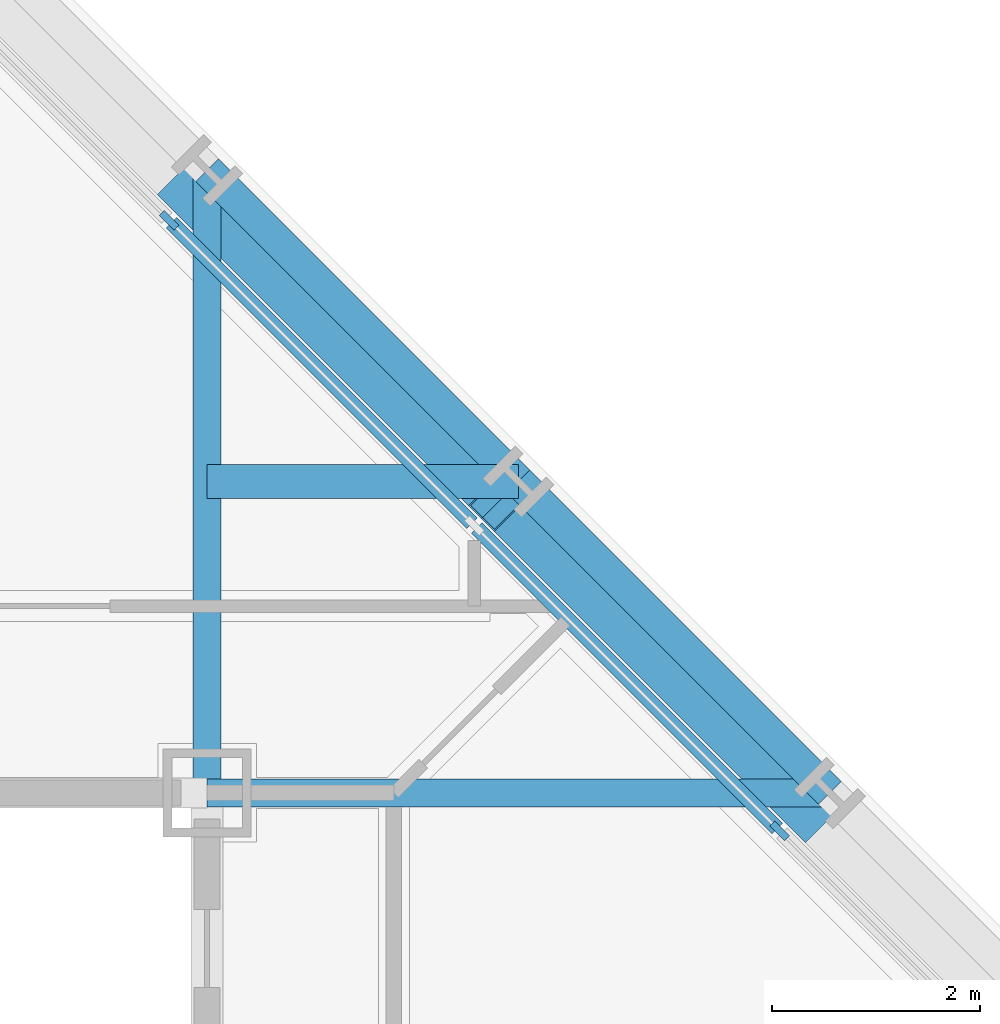
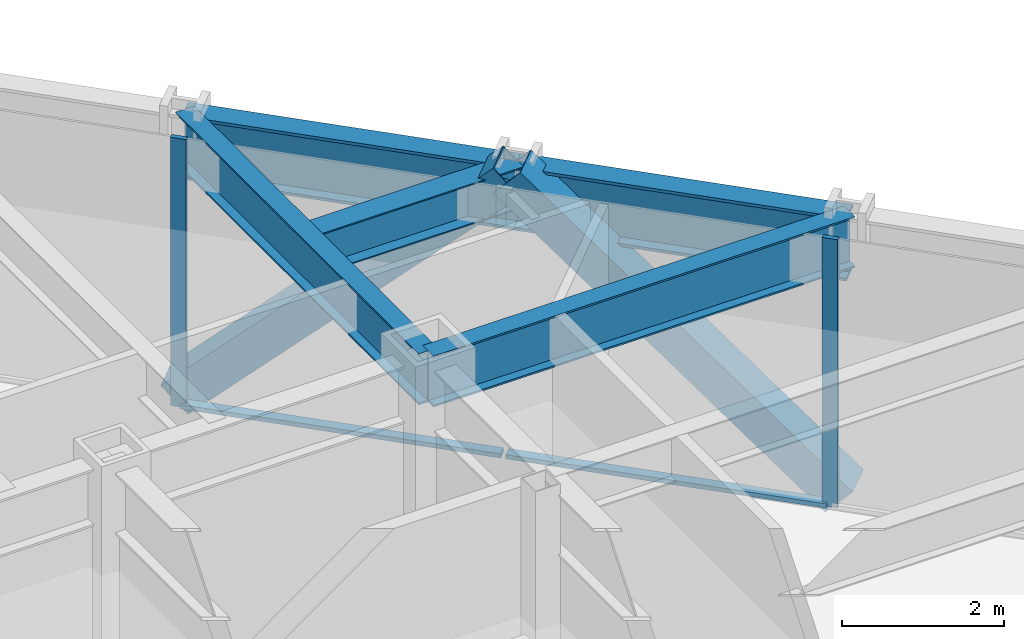
# One storey, part 8 of 17: 6 members, 5 beams, 1 element without a shape of its own.
"""IFC4 building model written with IfcOpenShell, lengths in metres."""

from ifc_helpers import new_model, si_unit, direction, frame, origin, origin_2d, place, context, subcontext, project, spatial, rectangle, hollow_rectangle, i_section, extrude, material, layer, layer_set, material_profile, profile_set, type_object, element, aggregate, save


model = new_model("IFC4")

# Units and contexts
model_context = context("Model", 3, precision=1e-05, world=origin(), true_north=direction((0.0, 1.0)))
body_context = subcontext(model_context, "Body", "Model", "MODEL_VIEW")
ifc_project = project(units=[si_unit("LENGTHUNIT", "METRE"), si_unit("AREAUNIT", "SQUARE_METRE"), si_unit("VOLUMEUNIT", "CUBIC_METRE"), si_unit("PLANEANGLEUNIT", "RADIAN"), si_unit("MASSUNIT", "GRAM", prefix="KILO")], contexts=[model_context])

# Site, building, storey
site_placement = place(None, origin())
site = spatial("IfcSite", under=ifc_project, at=site_placement, CompositionType="ELEMENT")
building_placement = place(site_placement, origin())
building = spatial("IfcBuilding", under=site, at=building_placement, Name="Chuquiago Exchange Tower", CompositionType="ELEMENT")
storey_placement = place(building_placement, frame((0.0, 0.0, 136.199951171875)))
storey = spatial("IfcBuildingStorey", under=building, at=storey_placement, Name="L29", CompositionType="ELEMENT", Elevation=136.199951171875)

# Beam
ifc_material_1 = material(Name="Steel ASTM A992", Category="steel")
ifc_material_profile_1 = material_profile(ifc_material_1, i_section(OverallWidth=0.3251953125, OverallDepth=0.612060546875, WebThickness=0.0126953125, FlangeThickness=0.01904296875, at=origin_2d()), Name="W24X104")
ifc_profile_set_1 = profile_set([ifc_material_profile_1], Name="Steel ASTM A992")
beam_type_1 = type_object("IfcBeamType", Name="B2 W24X104", PredefinedType="BEAM", material=ifc_profile_set_1)
beam_placement = place(storey_placement, frame((33.0, 36.0, 3.73388671875), z_axis=(1.0, 0.0, 0.0), x_axis=(0.0, 1.0, 0.0)))
element("IfcBeam", 1, at=beam_placement, inside=storey, type_object=beam_type_1, Name="FB-L30-corner-33_36-36_36-0", PredefinedType="BEAM", context=body_context, shape_type="SweptSolid", body=[
    extrude(i_section(OverallWidth=0.3251953125, OverallDepth=0.612060546875, WebThickness=0.0126953125, FlangeThickness=0.01904296875, at=origin_2d()), origin(), (0.0, 0.0, 1.0), 3.0),
])

# Curtain wall, members
ifc_material_2 = material(Name="Aluminium curtain wall system", Category="aluminium")
ifc_layer = layer(ifc_material_2, 0.199951171875)
ifc_layer_set = layer_set([ifc_layer], Name="CW3 facet curtain wall")
curtain_wall_type = type_object("IfcCurtainWallType", Name="CW3 facet curtain wall", PredefinedType="NOTDEFINED", material=ifc_layer_set)
curtain_wall_placement = place(storey_placement, origin())
curtain_wall = element("IfcCurtainWall", 2, at=curtain_wall_placement, inside=storey, type_object=curtain_wall_type, Name="CW3 curtain wall L29", PredefinedType="NOTDEFINED")
ifc_material_3 = material(Name="Aluminium mullion, pale anodised", Category="aluminium")
ifc_material_profile_2 = material_profile(ifc_material_3, rectangle(XDim=0.06494140625, YDim=0.199951171875, at=origin_2d()), Name="AL 65x200")
ifc_profile_set_2 = profile_set([ifc_material_profile_2], Name="Aluminium mullion, pale anodised")
member_type_1 = type_object("IfcMemberType", Name="CW3-M mullion 65x200", PredefinedType="MULLION", material=ifc_profile_set_2)
member_1_placement = place(storey_placement, frame((38.51708984375, 32.63427734375, 0.0), z_axis=(0.0, 0.0, 1.0), x_axis=(-0.707106781187, -0.707106781187, 0.0)))
member_1 = element("IfcMember", 3, at=member_1_placement, type_object=member_type_1, Name="CW3 mullion 3", PredefinedType="MULLION", context=body_context, shape_type="SweptSolid", body=[
    extrude(rectangle(XDim=0.06494140625, YDim=0.199951171875, at=origin_2d()), origin(), (0.0, 0.0, 1.0), 4.0400390625),
])
member_2_placement = place(storey_placement, frame((32.63427734375, 38.51708984375, 0.0), z_axis=(0.0, 0.0, 1.0), x_axis=(-0.707106781187, -0.707106781187, 0.0)))
member_2 = element("IfcMember", 4, at=member_2_placement, type_object=member_type_1, Name="CW3 mullion 5", PredefinedType="MULLION", context=body_context, shape_type="SweptSolid", body=[
    extrude(rectangle(XDim=0.06494140625, YDim=0.199951171875, at=origin_2d()), origin(), (0.0, 0.0, 1.0), 4.0400390625),
])
ifc_material_4 = material(Name="Aluminium transom, pale anodised", Category="aluminium")
ifc_material_profile_3 = material_profile(ifc_material_4, rectangle(XDim=0.139892578125, YDim=0.06494140625, at=origin_2d()), Name="AL 140x65")
ifc_profile_set_3 = profile_set([ifc_material_profile_3], Name="Aluminium transom, pale anodised")
member_type_2 = type_object("IfcMemberType", Name="CW3-T transom 65x140", PredefinedType="MULLION", material=ifc_profile_set_3)
member_3_placement = place(storey_placement, frame((38.494140625, 32.6572265625, 0.032470703125), z_axis=(-0.707106781187, 0.707106781187, 0.0), x_axis=(-0.707106781187, -0.707106781187, 0.0)))
member_3 = element("IfcMember", 5, at=member_3_placement, type_object=member_type_2, Name="CW3 transom 3.1", PredefinedType="MULLION", context=body_context, shape_type="SweptSolid", body=[
    extrude(rectangle(XDim=0.139892578125, YDim=0.06494140625, at=origin_2d()), origin(), (0.0, 0.0, 1.0), 4.094970703125),
])
member_4_placement = place(storey_placement, frame((35.552734375, 35.5986328125, 0.032470703125), z_axis=(-0.707106781187, 0.707106781187, 0.0), x_axis=(-0.707106781187, -0.707106781187, 0.0)))
member_4 = element("IfcMember", 6, at=member_4_placement, type_object=member_type_2, Name="CW3 transom 4.1", PredefinedType="MULLION", context=body_context, shape_type="SweptSolid", body=[
    extrude(rectangle(XDim=0.139892578125, YDim=0.06494140625, at=origin_2d()), origin(), (0.0, 0.0, 1.0), 4.094970703125),
])
aggregate(curtain_wall, [member_1, member_2, member_3, member_4])

# Beams
ifc_material_5 = material(Name="Steel ASTM A992", Category="steel")
ifc_material_profile_4 = material_profile(ifc_material_5, i_section(OverallWidth=0.2666015625, OverallDepth=0.76953125, WebThickness=0.015625, FlangeThickness=0.025390625, at=origin_2d()), Name="W30X132")
ifc_profile_set_4 = profile_set([ifc_material_profile_4], Name="Steel ASTM A992")
beam_type_2 = type_object("IfcBeamType", Name="G1 W30X132", PredefinedType="BEAM", material=ifc_profile_set_4)
for number, where, z_axis, x_axis, name in (
    (7, (33.0, 33.0, 3.6552734375), (0.0, 1.0, 0.0), (-1.0, 0.0, 0.0), "FB-L30-girder-33_33-33_39-0"),
    (8, (33.0, 33.0, 3.6552734375), (1.0, 0.0, 0.0), (0.0, 1.0, 0.0), "FB-L30-girder-33_33-39_33-0"),
):
    element("IfcBeam", number, at=place(storey_placement, frame(where, z_axis=z_axis, x_axis=x_axis)), inside=storey, type_object=beam_type_2, Name=name, PredefinedType="BEAM", context=body_context, shape_type="SweptSolid", body=[
        extrude(i_section(OverallWidth=0.2666015625, OverallDepth=0.76953125, WebThickness=0.015625, FlangeThickness=0.025390625, at=origin_2d()), origin(), (0.0, 0.0, 1.0), 6.0),
    ])

# Members
ifc_material_6 = material(Name="Steel ASTM A500 Grade C", Category="steel")
ifc_material_profile_5 = material_profile(ifc_material_6, hollow_rectangle(XDim=0.508056640625, YDim=0.508056640625, WallThickness=0.017822265625, at=origin_2d()), Name="HSS20X20X3/4")
ifc_profile_set_5 = profile_set([ifc_material_profile_5], Name="Steel ASTM A500 Grade C")
member_type_3 = type_object("IfcMemberType", Name="LB1 HSS20X20X3/4", PredefinedType="BRACE", material=ifc_profile_set_5)
for number, where, z_axis, x_axis, name in (
    (9, (38.822509765625, 32.822509765625, 0.0), (-0.512077265487, 0.512077265487, 0.689604051861), (-0.707106781187, -0.707106781187, 0.0), "LB-L29-39_33-36_36"),
    (10, (32.822509765625, 38.822509765625, 0.0), (0.512077265487, -0.512077265487, 0.689604051861), (0.707106781187, 0.707106781187, 0.0), "LB-L29-36_36-33_39"),
):
    element("IfcMember", number, at=place(storey_placement, frame(where, z_axis=z_axis, x_axis=x_axis)), inside=storey, type_object=member_type_3, Name=name, PredefinedType="BRACE", context=body_context, shape_type="SweptSolid", body=[
        extrude(hollow_rectangle(XDim=0.508056640625, YDim=0.508056640625, WallThickness=0.017822265625, at=origin_2d()), origin(), (0.0, 0.0, 1.0), 5.8583984375),
    ])

# Beams
ifc_material_7 = material(Name="Steel ASTM A992", Category="steel")
ifc_material_profile_6 = material_profile(ifc_material_7, i_section(OverallWidth=0.309814453125, OverallDepth=0.949951171875, WebThickness=0.0244140625, FlangeThickness=0.0439453125, at=origin_2d()), Name="W36X256")
ifc_profile_set_6 = profile_set([ifc_material_profile_6], Name="Steel ASTM A992")
beam_type_3 = type_object("IfcBeamType", Name="SP2 W36X256", PredefinedType="SPANDREL", material=ifc_profile_set_6)
for number, where, z_axis, x_axis, name in (
    (11, (39.0, 33.0, 3.56494140625), (-0.707106781187, 0.707106781187, 0.0), (-0.707106781187, -0.707106781187, 0.0), "SPB-L30-39_33-36_36"),
    (12, (36.0, 36.0, 3.56494140625), (-0.707106781187, 0.707106781187, 0.0), (-0.707106781187, -0.707106781187, 0.0), "SPB-L30-36_36-33_39"),
):
    element("IfcBeam", number, at=place(storey_placement, frame(where, z_axis=z_axis, x_axis=x_axis)), inside=storey, type_object=beam_type_3, Name=name, PredefinedType="SPANDREL", context=body_context, shape_type="SweptSolid", body=[
        extrude(i_section(OverallWidth=0.309814453125, OverallDepth=0.949951171875, WebThickness=0.0244140625, FlangeThickness=0.0439453125, at=origin_2d()), origin(), (0.0, 0.0, 1.0), 4.24267578125),
    ])

save(model, "model.ifc")
